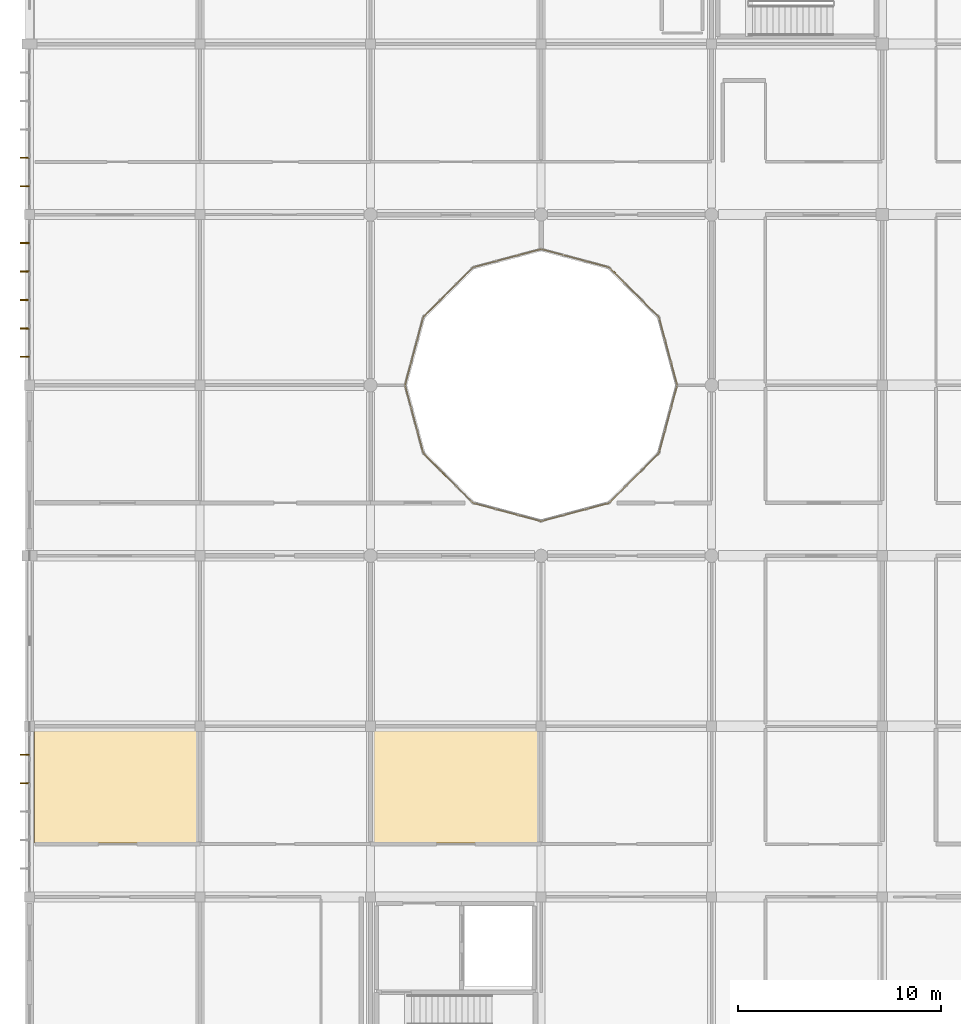
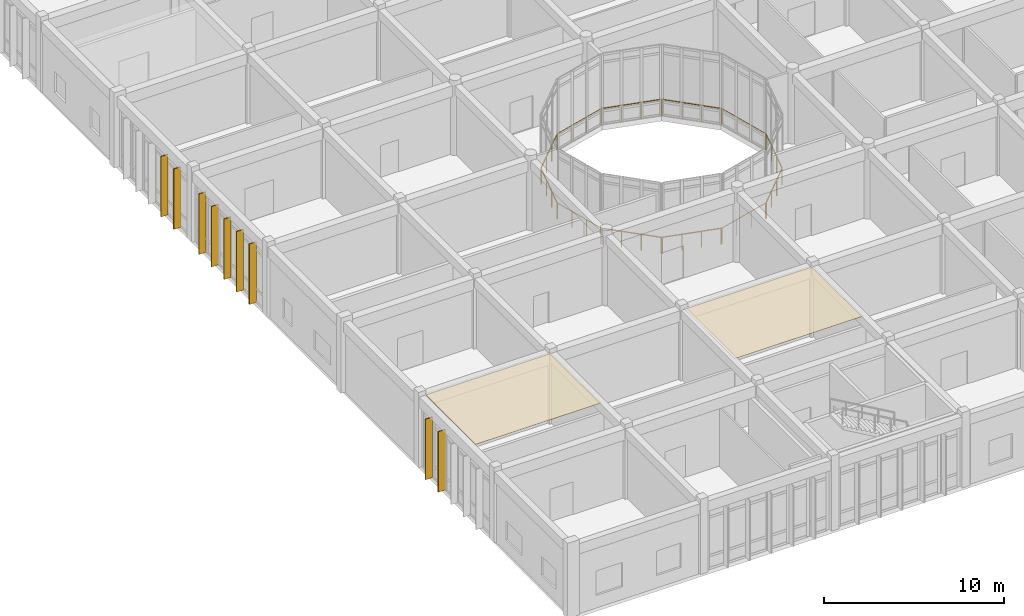
# One storey, part 122 of 134: 12 railings, 9 shading devices, 2 coverings.
"""IFC4 building model written with IfcOpenShell, lengths in metres."""

import ifcopenshell
import ifcopenshell.guid

model = None  # the IFC model being written
_history = None  # IfcOwnerHistory: only IFC2X3 demands one
_inside = {}  # id of a spatial element -> (the spatial element, [elements in it])
_under = {}  # id of a project, library or spatial element -> (it, [spatial elements below it])
_declared = {}  # id of a project -> (the project, [libraries it declares])
_typed = {}  # id of a type object -> (the type object, [elements of that type])
_made_of = {}  # id of a material, layer set ... -> (it, [elements and type objects made of it])


def new_model(schema):
    """Start an empty IFC model of exactly this schema.

    Asked for "IFC4X3", IfcOpenShell would pick the latest addendum, in which some entities
    have other attributes; the version numbers below select the first issue.
    IFC2X3 requires an IfcOwnerHistory on every rooted entity: one is made here for all.
    """
    global model, _history
    if schema == "IFC4X3":
        model = ifcopenshell.file(schema_version=(4, 3, 0, 0))
    else:
        model = ifcopenshell.file(schema=schema)
    _inside.clear()
    _under.clear()
    _declared.clear()
    _typed.clear()
    _made_of.clear()
    _history = None
    if model.schema == "IFC2X3":
        org = make("IfcOrganization", Name="unknown")
        user = make(
            "IfcPersonAndOrganization",
            ThePerson=make("IfcPerson", FamilyName="unknown"),
            TheOrganization=org,
        )
        app = make(
            "IfcApplication",
            ApplicationDeveloper=org,
            Version="unknown",
            ApplicationFullName="unknown",
            ApplicationIdentifier="unknown",
        )
        _history = make(
            "IfcOwnerHistory",
            OwningUser=user,
            OwningApplication=app,
            ChangeAction="ADDED",
            CreationDate=0,
        )
    return model


def make(cls, **values):
    """One entity of the class cls with the attributes given. An attribute that is None is left unset."""
    return model.create_entity(
        cls, **{name: value for name, value in values.items() if value is not None}
    )


def rooted(cls, **values):
    """An entity with a GlobalId (a new one), such as an element, a storey or a relation."""
    return make(cls, GlobalId=ifcopenshell.guid.new(), OwnerHistory=_history, **values)


def si_unit(unit_type, name, prefix=None):
    """IfcSIUnit, for example si_unit("LENGTHUNIT", "METRE", prefix="MILLI")."""
    return make("IfcSIUnit", UnitType=unit_type, Prefix=prefix, Name=name)


def assignment(units):
    """IfcUnitAssignment: the units of a project."""
    return None if units is None else make("IfcUnitAssignment", Units=units)


def point(xyz):
    """IfcCartesianPoint."""
    return None if xyz is None else make("IfcCartesianPoint", Coordinates=xyz)


def direction(xyz):
    """IfcDirection."""
    return None if xyz is None else make("IfcDirection", DirectionRatios=xyz)


def frame(location, z_axis=None, x_axis=None):
    """IfcAxis2Placement3D, a coordinate frame: its origin and axes. An axis left out is left unset."""
    return make(
        "IfcAxis2Placement3D",
        Location=point(location),
        Axis=direction(z_axis),
        RefDirection=direction(x_axis),
    )


def frame_2d(location, x_axis=None):
    """IfcAxis2Placement2D, a coordinate frame in the plane: its origin and x axis."""
    return make(
        "IfcAxis2Placement2D", Location=point(location), RefDirection=direction(x_axis)
    )


def origin():
    """The frame at (0, 0, 0) with its axes left unset."""
    return frame((0.0, 0.0, 0.0))


def origin_2d():
    """The frame at (0, 0) in the plane with its x axis left unset."""
    return frame_2d((0.0, 0.0))


def place(relative_to, where):
    """IfcLocalPlacement: puts the frame where relative to a parent placement (None: the world)."""
    return make(
        "IfcLocalPlacement", PlacementRelTo=relative_to, RelativePlacement=where
    )


def context(
    kind, dimensions, precision=None, world=None, true_north=None, identifier=None
):
    """IfcGeometricRepresentationContext, for example the 3D "Model" context."""
    return make(
        "IfcGeometricRepresentationContext",
        ContextIdentifier=identifier,
        ContextType=kind,
        CoordinateSpaceDimension=dimensions,
        Precision=precision,
        WorldCoordinateSystem=world,
        TrueNorth=true_north,
    )


def subcontext(parent, identifier, kind, view, scale=None):
    """IfcGeometricRepresentationSubContext, for example "Body" below "Model"."""
    return make(
        "IfcGeometricRepresentationSubContext",
        ContextIdentifier=identifier,
        ContextType=kind,
        ParentContext=parent,
        TargetScale=scale,
        TargetView=view,
    )


def project(units=None, contexts=None):
    """IfcProject with its units and contexts."""
    return rooted(
        "IfcProject",
        Name="project",
        RepresentationContexts=contexts,
        UnitsInContext=assignment(units),
    )


def spatial(cls, under=None, at=None, **own):
    """A site, building, storey or space (cls), placed at a placement, below another one or the project."""
    s = rooted(cls, ObjectPlacement=at, **own)
    if under is not None:
        _under.setdefault(under.id(), (under, []))[1].append(s)
    return s


def polyline(points):
    """IfcPolyline through the points."""
    return make("IfcPolyline", Points=[point(p) for p in points])


def profile(cls, at=None, kind="AREA", **sizes):
    """A parametric profile (cls). Its sizes go by their IFC names, for example OverallWidth=200.0."""
    return make(cls, ProfileType=kind, Position=at, **sizes)


def rectangle(**sizes):
    """IfcRectangleProfileDef."""
    return profile("IfcRectangleProfileDef", **sizes)


def circle(**sizes):
    """IfcCircleProfileDef."""
    return profile("IfcCircleProfileDef", **sizes)


def outline(outer, holes=None, kind="AREA"):
    """IfcArbitraryClosedProfileDef: a profile drawn as a closed curve; with holes, ...WithVoids."""
    if holes is None:
        return make("IfcArbitraryClosedProfileDef", ProfileType=kind, OuterCurve=outer)
    return make(
        "IfcArbitraryProfileDefWithVoids",
        ProfileType=kind,
        OuterCurve=outer,
        InnerCurves=holes,
    )


def extrude(swept, where, along, depth):
    """IfcExtrudedAreaSolid: the profile swept, set in the frame where, extruded along a direction by depth."""
    return make(
        "IfcExtrudedAreaSolid",
        SweptArea=swept,
        Position=where,
        ExtrudedDirection=direction(along),
        Depth=depth,
    )


def shape(context_of_items, identifier, shape_type, items):
    """IfcShapeRepresentation: the items that make up one representation, for example the "Body"."""
    return make(
        "IfcShapeRepresentation",
        ContextOfItems=context_of_items,
        RepresentationIdentifier=identifier,
        RepresentationType=shape_type,
        Items=items,
    )


def material(Name=None, Category=None):
    """IfcMaterial."""
    return make("IfcMaterial", Name=Name, Category=Category)


def layer(
    of_material, thickness, ventilated=None, Name=None, Category=None, Priority=None
):
    """IfcMaterialLayer: one layer of a wall or slab, of a material (None: an air gap)."""
    return make(
        "IfcMaterialLayer",
        Material=of_material,
        LayerThickness=thickness,
        IsVentilated=ventilated,
        Name=Name,
        Category=Category,
        Priority=Priority,
    )


def layer_set(layers, Name=None):
    """IfcMaterialLayerSet."""
    return make("IfcMaterialLayerSet", MaterialLayers=layers, LayerSetName=Name)


def material_profile(
    of_material, cross_section, Name=None, Category=None, Priority=None
):
    """IfcMaterialProfile: a cross section and its material."""
    return make(
        "IfcMaterialProfile",
        Name=Name,
        Material=of_material,
        Profile=cross_section,
        Priority=Priority,
        Category=Category,
    )


def profile_set(profiles, Name=None, composite=None):
    """IfcMaterialProfileSet."""
    return make(
        "IfcMaterialProfileSet",
        Name=Name,
        MaterialProfiles=profiles,
        CompositeProfile=composite,
    )


def made_of(thing, what):
    """Note that an element or type object is made of a material, layer set ...; save() writes the relation."""
    if what is not None:
        _made_of.setdefault(what.id(), (what, []))[1].append(thing)
    return thing


def type_object(cls, material=None, **own):
    """A type object (cls), such as IfcWallType, which elements share."""
    return made_of(rooted(cls, **own), material)


def element(
    cls,
    number,
    at=None,
    inside=None,
    cuts=None,
    type_object=None,
    material=None,
    context=None,
    identifier="Body",
    shape_type=None,
    held_by="IfcProductDefinitionShape",
    body=None,
    shapes=None,
    **own,
):
    """One element of the class cls, such as IfcWall. Its Tag is "e" and its number.

    at: its placement. inside: the storey or other place that contains it. cuts: it is an
    opening in that element (IfcRelVoidsElement). A single representation is given by context,
    identifier, shape_type and body (its items); several are given by shapes. held_by: the class
    of the entity that holds the representations. save() writes the other relations.
    """
    e = rooted(cls, Tag="e%d" % number, ObjectPlacement=at, **own)
    if body is not None:
        shapes = [shape(context, identifier, shape_type, body)]
    if shapes is not None:
        e.Representation = make(held_by, Representations=shapes)
    if inside is not None:
        _inside.setdefault(inside.id(), (inside, []))[1].append(e)
    if cuts is not None:
        rooted(
            "IfcRelVoidsElement", RelatingBuildingElement=cuts, RelatedOpeningElement=e
        )
    if type_object is not None:
        _typed.setdefault(type_object.id(), (type_object, []))[1].append(e)
    return made_of(e, material)


def aggregate(whole, parts):
    """IfcRelAggregates: a whole, such as a stair, and the parts it consists of."""
    return rooted("IfcRelAggregates", RelatingObject=whole, RelatedObjects=parts)


def save(model, path):
    """Write the relations noted so far, then the file.

    IfcRelAggregates (storeys below a building ...), IfcRelContainedInSpatialStructure (elements
    in a storey), IfcRelDefinesByType, IfcRelAssociatesMaterial and IfcRelDeclares: one each for
    every whole, place, type object, material and project.
    """
    for whole, parts in _under.values():
        aggregate(whole, parts)
    for where, things in _inside.values():
        rooted(
            "IfcRelContainedInSpatialStructure",
            RelatedElements=things,
            RelatingStructure=where,
        )
    for kind, things in _typed.values():
        rooted("IfcRelDefinesByType", RelatedObjects=things, RelatingType=kind)
    for what, things in _made_of.values():
        rooted("IfcRelAssociatesMaterial", RelatedObjects=things, RelatingMaterial=what)
    for by, libraries in _declared.values():
        rooted("IfcRelDeclares", RelatingContext=by, RelatedDefinitions=libraries)
    model.write(path)


model = new_model("IFC4")

# Units and contexts
model_context = context("Model", 3, precision=1e-05, world=origin(), true_north=direction((0.0, 1.0)))
body_context = subcontext(model_context, "Body", "Model", "MODEL_VIEW")
ifc_project = project(units=[si_unit("LENGTHUNIT", "METRE"), si_unit("AREAUNIT", "SQUARE_METRE"), si_unit("VOLUMEUNIT", "CUBIC_METRE"), si_unit("PLANEANGLEUNIT", "RADIAN"), si_unit("MASSUNIT", "GRAM", prefix="KILO")], contexts=[model_context])

# Site, building, storey
site_placement = place(None, origin())
site = spatial("IfcSite", under=ifc_project, at=site_placement, CompositionType="ELEMENT")
building_placement = place(site_placement, origin())
building = spatial("IfcBuilding", under=site, at=building_placement, Name="Bramfleet General Hospital", CompositionType="ELEMENT")
storey_placement = place(building_placement, frame((0.0, 0.0, 9.300048828125)))
storey = spatial("IfcBuildingStorey", under=building, at=storey_placement, Name="L02", CompositionType="ELEMENT", Elevation=9.300048828125)

# Coverings
ifc_material_1 = material(Name="Hygienic acoustic mineral-fibre ceiling")
ifc_layer = layer(ifc_material_1, 0.02490234375, Name="COV-HYG-CEIL")
ifc_layer_set = layer_set([ifc_layer], Name="Hygienic acoustic mineral-fibre ceiling")
covering_type = type_object("IfcCoveringType", Name="COV-HYG-CEIL", PredefinedType="CEILING", material=ifc_layer_set)
covering_1_placement = place(storey_placement, frame((0.0, 0.0, 4.71484375)))
element("IfcCovering", 1, at=covering_1_placement, inside=storey, type_object=covering_type, Name="Operating Theatre 1 Hygienic Ceiling", PredefinedType="CEILING", context=body_context, shape_type="SweptSolid", body=[
    extrude(outline(polyline([(8.340087890625, 61.4599609375), (0.260009765625, 61.4599609375), (0.260009765625, 67.139892578125), (8.340087890625, 67.139892578125), (8.340087890625, 61.4599609375)])), origin(), (0.0, 0.0, 1.0), 0.025146484375),
])
covering_2_placement = place(storey_placement, frame((0.0, 0.0, 4.71484375)))
element("IfcCovering", 2, at=covering_2_placement, inside=storey, type_object=covering_type, Name="Operating Theatre 2 Hygienic Ceiling", PredefinedType="CEILING", context=body_context, shape_type="SweptSolid", body=[
    extrude(outline(polyline([(25.139892578125, 61.4599609375), (16.860107421875, 61.4599609375), (16.860107421875, 67.139892578125), (25.139892578125, 67.139892578125), (25.139892578125, 61.4599609375)])), origin(), (0.0, 0.0, 1.0), 0.025146484375),
])

# Railings
ifc_material_2 = material(Name="Stainless steel 1.4401 safety balustrade", Category="steel")
railing_type = type_object("IfcRailingType", Name="RAIL-EXT-GUARD", PredefinedType="GUARDRAIL", material=ifc_material_2)
railing_1_placement = place(storey_placement, frame((18.506103515625, 83.964599609375, 0.0)))
element("IfcRailing", 3, at=railing_1_placement, inside=storey, type_object=railing_type, Name="L02 Safety Guard Rail 77", PredefinedType="GUARDRAIL", context=body_context, shape_type="SweptSolid", body=[
    extrude(circle(Radius=0.02392578125, at=origin_2d()), frame((0.0, 0.0, 1.076171875), z_axis=(0.258772014909, -0.965938426764, 0.0), x_axis=(0.965938426764, 0.258772014909, 0.0)), (0.0, 0.0, 1.0), 3.396484375),
    extrude(circle(Radius=0.02099609375, at=origin_2d()), origin(), (0.0, 0.0, 1.0), 1.052001953125),
    extrude(circle(Radius=0.02099609375, at=origin_2d()), frame((0.29296875, -1.093505859375, 0.0)), (0.0, 0.0, 1.0), 1.052001953125),
    extrude(circle(Radius=0.02099609375, at=origin_2d()), frame((0.5859375, -2.187255859375, 0.0)), (0.0, 0.0, 1.0), 1.052001953125),
    extrude(circle(Radius=0.02099609375, at=origin_2d()), frame((0.87890625, -3.28076171875, 0.0)), (0.0, 0.0, 1.0), 1.052001953125),
])
railing_2_placement = place(storey_placement, frame((19.420654296875, 80.622314453125, 0.0)))
element("IfcRailing", 4, at=railing_2_placement, inside=storey, type_object=railing_type, Name="L02 Safety Guard Rail 78", PredefinedType="GUARDRAIL", context=body_context, shape_type="SweptSolid", body=[
    extrude(circle(Radius=0.02392578125, at=origin_2d()), frame((0.0, 0.0, 1.076171875), z_axis=(0.707106781187, -0.707106781187, 0.0), x_axis=(0.707106781187, 0.707106781187, 0.0)), (0.0, 0.0, 1.0), 3.396484375),
    extrude(circle(Radius=0.02099609375, at=origin_2d()), origin(), (0.0, 0.0, 1.0), 1.052001953125),
    extrude(circle(Radius=0.02099609375, at=origin_2d()), frame((0.800537109375, -0.800537109375, 0.0)), (0.0, 0.0, 1.0), 1.052001953125),
    extrude(circle(Radius=0.02099609375, at=origin_2d()), frame((1.60107421875, -1.60107421875, 0.0)), (0.0, 0.0, 1.0), 1.052001953125),
    extrude(circle(Radius=0.02099609375, at=origin_2d()), frame((2.401611328125, -2.401611328125, 0.0)), (0.0, 0.0, 1.0), 1.052001953125),
])
railing_3_placement = place(storey_placement, frame((21.8837890625, 78.18505859375, 0.0)))
element("IfcRailing", 5, at=railing_3_placement, inside=storey, type_object=railing_type, Name="L02 Safety Guard Rail 79", PredefinedType="GUARDRAIL", context=body_context, shape_type="SweptSolid", body=[
    extrude(circle(Radius=0.02392578125, at=origin_2d()), frame((0.0, 0.0, 1.076171875), z_axis=(0.965920457522, -0.258839080781, 0.0), x_axis=(0.258839080781, 0.965920457522, 0.0)), (0.0, 0.0, 1.0), 3.396484375),
    extrude(circle(Radius=0.02099609375, at=origin_2d()), origin(), (0.0, 0.0, 1.0), 1.052001953125),
    extrude(circle(Radius=0.02099609375, at=origin_2d()), frame((1.093505859375, -0.29296875, 0.0)), (0.0, 0.0, 1.0), 1.052001953125),
    extrude(circle(Radius=0.02099609375, at=origin_2d()), frame((2.187255859375, -0.586181640625, 0.0)), (0.0, 0.0, 1.0), 1.052001953125),
    extrude(circle(Radius=0.02099609375, at=origin_2d()), frame((3.28076171875, -0.879150390625, 0.0)), (0.0, 0.0, 1.0), 1.052001953125),
])
railing_4_placement = place(storey_placement, frame((25.235595703125, 77.305908203125, 0.0)))
element("IfcRailing", 6, at=railing_4_placement, inside=storey, type_object=railing_type, Name="L02 Safety Guard Rail 80", PredefinedType="GUARDRAIL", context=body_context, shape_type="SweptSolid", body=[
    extrude(circle(Radius=0.02392578125, at=origin_2d()), frame((0.0, 0.0, 1.076171875), z_axis=(0.965915641243, 0.25885705322, 0.0), x_axis=(-0.25885705322, 0.965915641243, 0.0)), (0.0, 0.0, 1.0), 3.396240234375),
    extrude(circle(Radius=0.02099609375, at=origin_2d()), origin(), (0.0, 0.0, 1.0), 1.052001953125),
    extrude(circle(Radius=0.02099609375, at=origin_2d()), frame((1.093505859375, 0.29296875, 0.0)), (0.0, 0.0, 1.0), 1.052001953125),
    extrude(circle(Radius=0.02099609375, at=origin_2d()), frame((2.18701171875, 0.586181640625, 0.0)), (0.0, 0.0, 1.0), 1.052001953125),
    extrude(circle(Radius=0.02099609375, at=origin_2d()), frame((3.280517578125, 0.879150390625, 0.0)), (0.0, 0.0, 1.0), 1.052001953125),
])
railing_5_placement = place(storey_placement, frame((28.577880859375, 78.220703125, 0.0)))
element("IfcRailing", 7, at=railing_5_placement, inside=storey, type_object=railing_type, Name="L02 Safety Guard Rail 81", PredefinedType="GUARDRAIL", context=body_context, shape_type="SweptSolid", body=[
    extrude(circle(Radius=0.02392578125, at=origin_2d()), frame((0.0, 0.0, 1.076171875), z_axis=(0.707106781187, 0.707106781187, 0.0), x_axis=(-0.707106781187, 0.707106781187, 0.0)), (0.0, 0.0, 1.0), 3.396484375),
    extrude(circle(Radius=0.02099609375, at=origin_2d()), origin(), (0.0, 0.0, 1.0), 1.052001953125),
    extrude(circle(Radius=0.02099609375, at=origin_2d()), frame((0.800537109375, 0.800537109375, 0.0)), (0.0, 0.0, 1.0), 1.052001953125),
    extrude(circle(Radius=0.02099609375, at=origin_2d()), frame((1.60107421875, 1.60107421875, 0.0)), (0.0, 0.0, 1.0), 1.052001953125),
    extrude(circle(Radius=0.02099609375, at=origin_2d()), frame((2.401611328125, 2.401611328125, 0.0)), (0.0, 0.0, 1.0), 1.052001953125),
])
railing_6_placement = place(storey_placement, frame((31.014892578125, 80.683837890625, 0.0)))
element("IfcRailing", 8, at=railing_6_placement, inside=storey, type_object=railing_type, Name="L02 Safety Guard Rail 82", PredefinedType="GUARDRAIL", context=body_context, shape_type="SweptSolid", body=[
    extrude(circle(Radius=0.02392578125, at=origin_2d()), frame((0.0, 0.0, 1.076171875), z_axis=(0.258839080781, 0.965920457522, 0.0), x_axis=(-0.965920457522, 0.258839080781, 0.0)), (0.0, 0.0, 1.0), 3.396484375),
    extrude(circle(Radius=0.02099609375, at=origin_2d()), origin(), (0.0, 0.0, 1.0), 1.052001953125),
    extrude(circle(Radius=0.02099609375, at=origin_2d()), frame((0.29296875, 1.093505859375, 0.0)), (0.0, 0.0, 1.0), 1.052001953125),
    extrude(circle(Radius=0.02099609375, at=origin_2d()), frame((0.586181640625, 2.187255859375, 0.0)), (0.0, 0.0, 1.0), 1.052001953125),
    extrude(circle(Radius=0.02099609375, at=origin_2d()), frame((0.879150390625, 3.28076171875, 0.0)), (0.0, 0.0, 1.0), 1.052001953125),
])
railing_7_placement = place(storey_placement, frame((31.89404296875, 84.035400390625, 0.0)))
element("IfcRailing", 9, at=railing_7_placement, inside=storey, type_object=railing_type, Name="L02 Safety Guard Rail 83", PredefinedType="GUARDRAIL", context=body_context, shape_type="SweptSolid", body=[
    extrude(circle(Radius=0.02392578125, at=origin_2d()), frame((0.0, 0.0, 1.076171875), z_axis=(-0.258839080781, 0.965920457522, 0.0), x_axis=(-0.965920457522, -0.258839080781, 0.0)), (0.0, 0.0, 1.0), 3.396484375),
    extrude(circle(Radius=0.02099609375, at=origin_2d()), origin(), (0.0, 0.0, 1.0), 1.052001953125),
    extrude(circle(Radius=0.02099609375, at=origin_2d()), frame((-0.29296875, 1.093505859375, 0.0)), (0.0, 0.0, 1.0), 1.052001953125),
    extrude(circle(Radius=0.02099609375, at=origin_2d()), frame((-0.586181640625, 2.187255859375, 0.0)), (0.0, 0.0, 1.0), 1.052001953125),
    extrude(circle(Radius=0.02099609375, at=origin_2d()), frame((-0.879150390625, 3.28076171875, 0.0)), (0.0, 0.0, 1.0), 1.052001953125),
])
railing_8_placement = place(storey_placement, frame((30.9794921875, 87.377685546875, 0.0)))
element("IfcRailing", 10, at=railing_8_placement, inside=storey, type_object=railing_type, Name="L02 Safety Guard Rail 84", PredefinedType="GUARDRAIL", context=body_context, shape_type="SweptSolid", body=[
    extrude(circle(Radius=0.02392578125, at=origin_2d()), frame((0.0, 0.0, 1.076171875), z_axis=(-0.707106781187, 0.707106781187, 0.0), x_axis=(-0.707106781187, -0.707106781187, 0.0)), (0.0, 0.0, 1.0), 3.396484375),
    extrude(circle(Radius=0.02099609375, at=origin_2d()), origin(), (0.0, 0.0, 1.0), 1.052001953125),
    extrude(circle(Radius=0.02099609375, at=origin_2d()), frame((-0.800537109375, 0.800537109375, 0.0)), (0.0, 0.0, 1.0), 1.052001953125),
    extrude(circle(Radius=0.02099609375, at=origin_2d()), frame((-1.60107421875, 1.60107421875, 0.0)), (0.0, 0.0, 1.0), 1.052001953125),
    extrude(circle(Radius=0.02099609375, at=origin_2d()), frame((-2.401611328125, 2.401611328125, 0.0)), (0.0, 0.0, 1.0), 1.052001953125),
])
railing_9_placement = place(storey_placement, frame((28.51611328125, 89.81494140625, 0.0)))
element("IfcRailing", 11, at=railing_9_placement, inside=storey, type_object=railing_type, Name="L02 Safety Guard Rail 85", PredefinedType="GUARDRAIL", context=body_context, shape_type="SweptSolid", body=[
    extrude(circle(Radius=0.02392578125, at=origin_2d()), frame((0.0, 0.0, 1.076171875), z_axis=(-0.965915641243, 0.25885705322, 0.0), x_axis=(-0.25885705322, -0.965915641243, 0.0)), (0.0, 0.0, 1.0), 3.396240234375),
    extrude(circle(Radius=0.02099609375, at=origin_2d()), origin(), (0.0, 0.0, 1.0), 1.052001953125),
    extrude(circle(Radius=0.02099609375, at=origin_2d()), frame((-1.093505859375, 0.29296875, 0.0)), (0.0, 0.0, 1.0), 1.052001953125),
    extrude(circle(Radius=0.02099609375, at=origin_2d()), frame((-2.18701171875, 0.586181640625, 0.0)), (0.0, 0.0, 1.0), 1.052001953125),
    extrude(circle(Radius=0.02099609375, at=origin_2d()), frame((-3.280517578125, 0.879150390625, 0.0)), (0.0, 0.0, 1.0), 1.052001953125),
])
railing_10_placement = place(storey_placement, frame((25.16455078125, 90.694091796875, 0.0)))
element("IfcRailing", 12, at=railing_10_placement, inside=storey, type_object=railing_type, Name="L02 Safety Guard Rail 86", PredefinedType="GUARDRAIL", context=body_context, shape_type="SweptSolid", body=[
    extrude(circle(Radius=0.02392578125, at=origin_2d()), frame((0.0, 0.0, 1.076171875), z_axis=(-0.965920457522, -0.258839080781, 0.0), x_axis=(0.258839080781, -0.965920457522, 0.0)), (0.0, 0.0, 1.0), 3.396484375),
    extrude(circle(Radius=0.02099609375, at=origin_2d()), origin(), (0.0, 0.0, 1.0), 1.052001953125),
    extrude(circle(Radius=0.02099609375, at=origin_2d()), frame((-1.093505859375, -0.29296875, 0.0)), (0.0, 0.0, 1.0), 1.052001953125),
    extrude(circle(Radius=0.02099609375, at=origin_2d()), frame((-2.187255859375, -0.586181640625, 0.0)), (0.0, 0.0, 1.0), 1.052001953125),
    extrude(circle(Radius=0.02099609375, at=origin_2d()), frame((-3.28076171875, -0.879150390625, 0.0)), (0.0, 0.0, 1.0), 1.052001953125),
])
railing_11_placement = place(storey_placement, frame((21.822265625, 89.779296875, 0.0)))
element("IfcRailing", 13, at=railing_11_placement, inside=storey, type_object=railing_type, Name="L02 Safety Guard Rail 87", PredefinedType="GUARDRAIL", context=body_context, shape_type="SweptSolid", body=[
    extrude(circle(Radius=0.02392578125, at=origin_2d()), frame((0.0, 0.0, 1.076171875), z_axis=(-0.707106781187, -0.707106781187, 0.0), x_axis=(0.707106781187, -0.707106781187, 0.0)), (0.0, 0.0, 1.0), 3.396484375),
    extrude(circle(Radius=0.02099609375, at=origin_2d()), origin(), (0.0, 0.0, 1.0), 1.052001953125),
    extrude(circle(Radius=0.02099609375, at=origin_2d()), frame((-0.800537109375, -0.800537109375, 0.0)), (0.0, 0.0, 1.0), 1.052001953125),
    extrude(circle(Radius=0.02099609375, at=origin_2d()), frame((-1.60107421875, -1.60107421875, 0.0)), (0.0, 0.0, 1.0), 1.052001953125),
    extrude(circle(Radius=0.02099609375, at=origin_2d()), frame((-2.401611328125, -2.401611328125, 0.0)), (0.0, 0.0, 1.0), 1.052001953125),
])
railing_12_placement = place(storey_placement, frame((19.385009765625, 87.316162109375, 0.0)))
element("IfcRailing", 14, at=railing_12_placement, inside=storey, type_object=railing_type, Name="L02 Safety Guard Rail 88", PredefinedType="GUARDRAIL", context=body_context, shape_type="SweptSolid", body=[
    extrude(circle(Radius=0.02392578125, at=origin_2d()), frame((0.0, 0.0, 1.076171875), z_axis=(-0.258772014909, -0.965938426764, 0.0), x_axis=(0.965938426764, -0.258772014909, 0.0)), (0.0, 0.0, 1.0), 3.396484375),
    extrude(circle(Radius=0.02099609375, at=origin_2d()), origin(), (0.0, 0.0, 1.0), 1.052001953125),
    extrude(circle(Radius=0.02099609375, at=origin_2d()), frame((-0.29296875, -1.093505859375, 0.0)), (0.0, 0.0, 1.0), 1.052001953125),
    extrude(circle(Radius=0.02099609375, at=origin_2d()), frame((-0.5859375, -2.187255859375, 0.0)), (0.0, 0.0, 1.0), 1.052001953125),
    extrude(circle(Radius=0.02099609375, at=origin_2d()), frame((-0.87890625, -3.28076171875, 0.0)), (0.0, 0.0, 1.0), 1.052001953125),
])

# Shading devices
ifc_material_3 = material(Name="Treated European larch timber", Category="wood")
ifc_material_profile = material_profile(ifc_material_3, rectangle(XDim=0.06494140625, YDim=0.449951171875, at=origin_2d()), Name="LARCH FIN 450x65")
ifc_profile_set = profile_set([ifc_material_profile], Name="Treated European larch timber")
shading_device_type = type_object("IfcShadingDeviceType", Name="SHD-FIN-450", PredefinedType="USERDEFINED", material=ifc_profile_set)
for number, where, z_axis, x_axis, name in (
    (15, (-0.239990234375, 64.39990234375, -0.02001953125), (0.0, 0.0, 1.0), (0.0, 1.0, 0.0), "L02 Larch Timber Shading Fin 364"),
    (16, (-0.239990234375, 65.800048828125, -0.02001953125), (0.0, 0.0, 1.0), (0.0, 1.0, 0.0), "L02 Larch Timber Shading Fin 365"),
    (17, (-0.239990234375, 85.39990234375, -0.02001953125), (0.0, 0.0, 1.0), (0.0, 1.0, 0.0), "L02 Larch Timber Shading Fin 366"),
    (18, (-0.239990234375, 86.800048828125, -0.02001953125), (0.0, 0.0, 1.0), (0.0, 1.0, 0.0), "L02 Larch Timber Shading Fin 367"),
    (19, (-0.239990234375, 88.199951171875, -0.02001953125), (0.0, 0.0, 1.0), (0.0, 1.0, 0.0), "L02 Larch Timber Shading Fin 368"),
    (20, (-0.239990234375, 89.60009765625, -0.02001953125), (0.0, 0.0, 1.0), (0.0, 1.0, 0.0), "L02 Larch Timber Shading Fin 369"),
    (21, (-0.239990234375, 91.0, -0.02001953125), (0.0, 0.0, 1.0), (0.0, 1.0, 0.0), "L02 Larch Timber Shading Fin 370"),
    (22, (-0.239990234375, 93.800048828125, -0.02001953125), (0.0, 0.0, 1.0), (0.0, 1.0, 0.0), "L02 Larch Timber Shading Fin 371"),
    (23, (-0.239990234375, 95.199951171875, -0.02001953125), (0.0, 0.0, 1.0), (0.0, 1.0, 0.0), "L02 Larch Timber Shading Fin 372"),
):
    element("IfcShadingDevice", number, at=place(storey_placement, frame(where, z_axis=z_axis, x_axis=x_axis)), inside=storey, type_object=shading_device_type, Name=name, ObjectType="Fin", PredefinedType="USERDEFINED", context=body_context, shape_type="SweptSolid", body=[
        extrude(rectangle(XDim=0.06494140625, YDim=0.449951171875, at=origin_2d()), origin(), (0.0, 0.0, 1.0), 4.099853515625),
    ])

save(model, "model.ifc")
